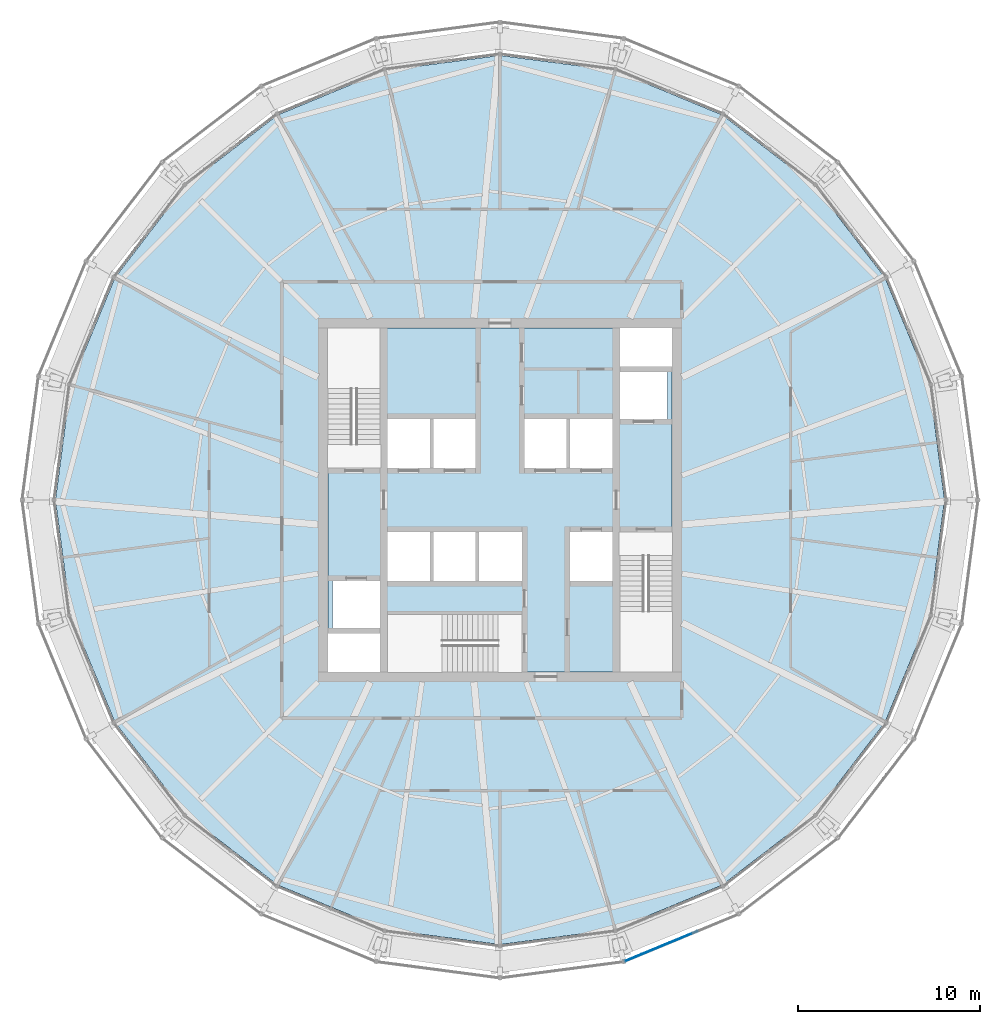
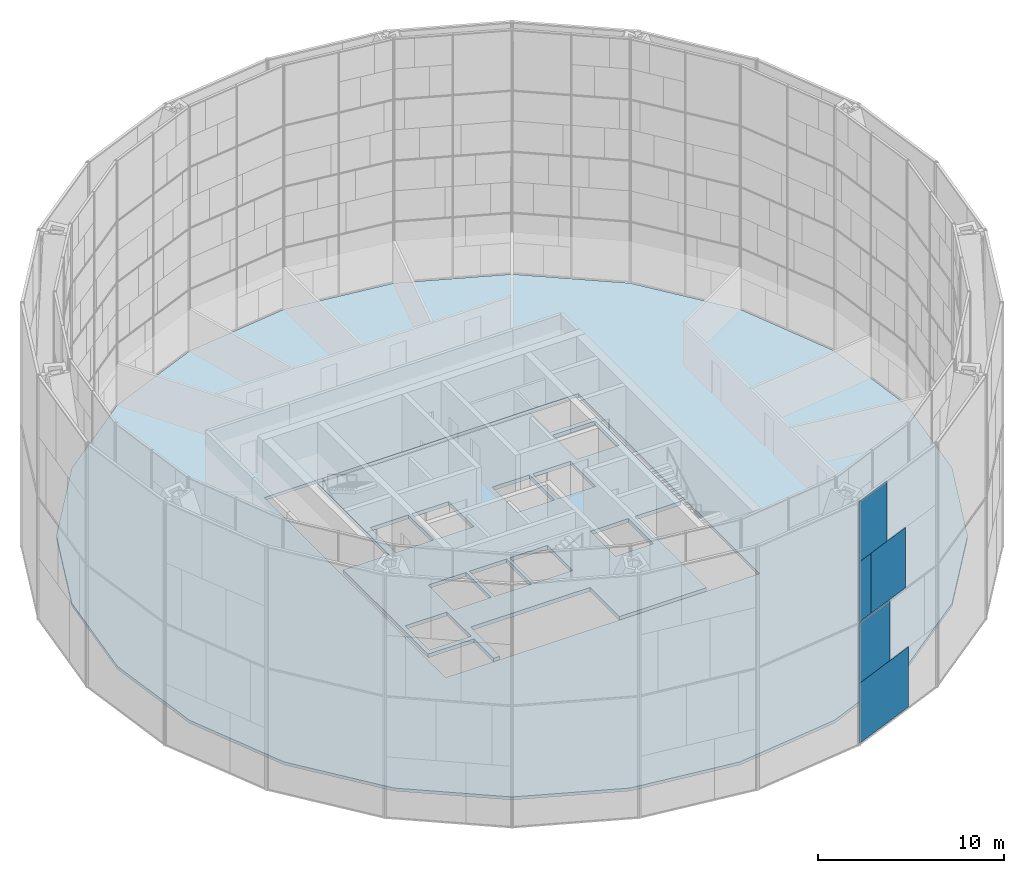
# One storey, part 17 of 29: 5 plates, 2 slabs, 1 element without a shape of its own.
"""IFC4 building model written with IfcOpenShell, lengths in metres."""

from ifc_helpers import new_model, si_unit, direction, frame, origin, origin_2d, place, context, subcontext, project, spatial, polyline, rectangle, outline, extrude, material, layer, layer_set, type_object, element, aggregate, save


model = new_model("IFC4")

# Units and contexts
model_context = context("Model", 3, precision=1e-05, world=origin(), true_north=direction((0.0, 1.0)))
body_context = subcontext(model_context, "Body", "Model", "MODEL_VIEW")
ifc_project = project(units=[si_unit("LENGTHUNIT", "METRE"), si_unit("AREAUNIT", "SQUARE_METRE"), si_unit("VOLUMEUNIT", "CUBIC_METRE"), si_unit("PLANEANGLEUNIT", "RADIAN"), si_unit("MASSUNIT", "GRAM", prefix="KILO")], contexts=[model_context])

# Site, building, storey
site_placement = place(None, origin())
site = spatial("IfcSite", under=ifc_project, at=site_placement, CompositionType="ELEMENT")
building_placement = place(site_placement, origin())
building = spatial("IfcBuilding", under=site, at=building_placement, Name="Golbaran Civic Tower", CompositionType="ELEMENT")
storey_placement = place(building_placement, frame((0.0, 0.0, 118.0)))
storey = spatial("IfcBuildingStorey", under=building, at=storey_placement, Name="L28", CompositionType="ELEMENT", Elevation=118.0)

# Slabs
ifc_material_1 = material(Name="Concrete LC30/33 lightweight on steel deck", Category="concrete")
ifc_layer_1 = layer(ifc_material_1, 0.199951171875, Name="Concrete LC30/33 lightweight on steel deck")
ifc_layer_set_1 = layer_set([ifc_layer_1], Name="Concrete LC30/33 lightweight on steel deck")
slab_type_1 = type_object("IfcSlabType", Name="COMPOSITE FLOOR SLAB 200", PredefinedType="FLOOR", material=ifc_layer_set_1)
slab_1_placement = place(storey_placement, frame((0.0, 0.0, -0.199951171875)))
element("IfcSlab", 1, at=slab_1_placement, inside=storey, type_object=slab_type_1, Name="Floor slab L28", PredefinedType="FLOOR", context=body_context, shape_type="SweptSolid", body=[
    extrude(outline(polyline([(21.17724609375, -12.2265625), (17.291015625, -17.291015625), (12.2265625, -21.17724609375), (6.3291015625, -23.6201171875), (0.0, -24.453369140625), (-6.3291015625, -23.6201171875), (-12.2265625, -21.17724609375), (-17.291015625, -17.291015625), (-21.17724609375, -12.2265625), (-23.6201171875, -6.3291015625), (-24.453369140625, 0.0), (-23.6201171875, 6.3291015625), (-21.17724609375, 12.2265625), (-17.291015625, 17.291015625), (-12.2265625, 21.17724609375), (-6.3291015625, 23.6201171875), (0.0, 24.453369140625), (6.3291015625, 23.6201171875), (12.2265625, 21.17724609375), (17.291015625, 17.291015625), (21.17724609375, 12.2265625), (23.6201171875, 6.3291015625), (24.453369140625, 0.0), (23.6201171875, -6.3291015625), (21.17724609375, -12.2265625)]), holes=[polyline([(-9.72509765625, 9.72509765625), (-9.72509765625, -9.72509765625), (9.72509765625, -9.72509765625), (9.72509765625, 9.72509765625), (-9.72509765625, 9.72509765625)])]), origin(), (0.0, 0.0, 1.0), 0.199951171875),
])
ifc_material_2 = material(Name="Concrete C35/45", Category="concrete")
ifc_layer_2 = layer(ifc_material_2, 0.25, Name="Concrete C35/45")
ifc_layer_set_2 = layer_set([ifc_layer_2], Name="Concrete C35/45")
slab_type_2 = type_object("IfcSlabType", Name="CORE FLOOR SLAB 250", PredefinedType="FLOOR", material=ifc_layer_set_2)
slab_2_placement = place(storey_placement, frame((0.0, 0.0, -0.25)))
element("IfcSlab", 2, at=slab_2_placement, inside=storey, type_object=slab_type_2, Name="Core floor slab L28", PredefinedType="FLOOR", context=body_context, shape_type="SweptSolid", body=[
    extrude(outline(polyline([(6.60009765625, -1.75), (6.60009765625, -9.449951171875), (1.199951171875, -9.449951171875), (1.199951171875, -6.300048828125), (-6.199951171875, -6.300048828125), (-6.199951171875, -9.449951171875), (-6.60009765625, -9.449951171875), (-6.60009765625, -7.35009765625), (-9.449951171875, -7.35009765625), (-9.449951171875, 1.75), (-6.60009765625, 1.75), (-6.60009765625, 9.449951171875), (6.60009765625, 9.449951171875), (6.60009765625, 7.35009765625), (9.449951171875, 7.35009765625), (9.449951171875, -1.75), (6.60009765625, -1.75)]), holes=[polyline([(9.199951171875, 7.050048828125), (6.60009765625, 7.050048828125), (6.60009765625, 4.449951171875), (9.199951171875, 4.449951171875), (9.199951171875, 7.050048828125)]), polyline([(6.199951171875, -1.75), (3.85009765625, -1.75), (3.85009765625, -4.449951171875), (6.199951171875, -4.449951171875), (6.199951171875, -1.75)]), polyline([(6.199951171875, 4.449951171875), (3.85009765625, 4.449951171875), (3.85009765625, 1.75), (6.199951171875, 1.75), (6.199951171875, 4.449951171875)]), polyline([(3.64990234375, 4.449951171875), (1.35009765625, 4.449951171875), (1.35009765625, 1.75), (3.64990234375, 1.75), (3.64990234375, 4.449951171875)]), polyline([(1.199951171875, -1.75), (-1.14990234375, -1.75), (-1.14990234375, -4.449951171875), (1.199951171875, -4.449951171875), (1.199951171875, -1.75)]), polyline([(-1.35009765625, 4.449951171875), (-3.64990234375, 4.449951171875), (-3.64990234375, 1.75), (-1.35009765625, 1.75), (-1.35009765625, 4.449951171875)]), polyline([(-1.35009765625, -1.75), (-3.64990234375, -1.75), (-3.64990234375, -4.449951171875), (-1.35009765625, -4.449951171875), (-1.35009765625, -1.75)]), polyline([(-3.85009765625, -1.75), (-6.199951171875, -1.75), (-6.199951171875, -4.449951171875), (-3.85009765625, -4.449951171875), (-3.85009765625, -1.75)]), polyline([(-3.85009765625, 4.449951171875), (-6.199951171875, 4.449951171875), (-6.199951171875, 1.75), (-3.85009765625, 1.75), (-3.85009765625, 4.449951171875)]), polyline([(-6.60009765625, -4.449951171875), (-9.199951171875, -4.449951171875), (-9.199951171875, -7.050048828125), (-6.60009765625, -7.050048828125), (-6.60009765625, -4.449951171875)])]), origin(), (0.0, 0.0, 1.0), 0.25),
])

# Curtain wall, plates
ifc_material_3 = material(Name="Aluminium and glass", Category="aluminium")
curtain_wall_type = type_object("IfcCurtainWallType", Name="OUTER SKIN TERRACOTTA SCREEN", PredefinedType="NOTDEFINED", material=ifc_material_3)
curtain_wall_placement = place(storey_placement, origin())
curtain_wall = element("IfcCurtainWall", 3, at=curtain_wall_placement, inside=storey, type_object=curtain_wall_type, Name="Outer skin L28 facet 20 CW3", ObjectType="OUTER SKIN", PredefinedType="USERDEFINED")
ifc_material_4 = material(Name="Clear laminated glass", Category="glass")
ifc_layer_3 = layer(ifc_material_4, 0.0400390625, Name="Clear laminated glass")
ifc_layer_set_3 = layer_set([ifc_layer_3], Name="Clear laminated glass")
plate_type_1 = type_object("IfcPlateType", Name="OUTER SKIN CLEAR GLASS PANEL", PredefinedType="CURTAIN_PANEL", material=ifc_layer_set_3)
plate_1_placement = place(storey_placement, frame((8.869140625, -24.542236328125, -0.6298828125), z_axis=(0.0, 0.0, 1.0), x_axis=(0.923879532505, 0.382683432381, 0.0)))
plate_1 = element("IfcPlate", 4, at=plate_1_placement, type_object=plate_type_1, Name="CW3 panel 1.1 part 1", PredefinedType="CURTAIN_PANEL", context=body_context, shape_type="SweptSolid", body=[
    extrude(rectangle(XDim=4.30810546875, YDim=0.0400390625, at=origin_2d()), origin(), (0.0, 0.0, 1.0), 3.93994140625),
])
plate_2_placement = place(storey_placement, frame((8.11572265625, -24.854248046875, 3.31005859375), z_axis=(0.0, 0.0, 1.0), x_axis=(0.923879532505, 0.382683432381, 0.0)))
plate_2 = element("IfcPlate", 5, at=plate_2_placement, type_object=plate_type_1, Name="CW3 panel 1.1 part 3", PredefinedType="CURTAIN_PANEL", context=body_context, shape_type="SweptSolid", body=[
    extrude(rectangle(XDim=2.677001953125, YDim=0.0400390625, at=origin_2d()), origin(), (0.0, 0.0, 1.0), 3.93994140625),
])
plate_3_placement = place(storey_placement, frame((7.347412109375, -25.17236328125, 7.330078125), z_axis=(0.0, 0.0, 1.0), x_axis=(0.923879532505, 0.382683432381, 0.0)))
plate_3 = element("IfcPlate", 6, at=plate_3_placement, type_object=plate_type_1, Name="CW3 panel 1.2 part 1", PredefinedType="CURTAIN_PANEL", context=body_context, shape_type="SweptSolid", body=[
    extrude(rectangle(XDim=1.013916015625, YDim=0.0400390625, at=origin_2d()), origin(), (0.0, 0.0, 1.0), 3.93994140625),
])
ifc_material_5 = material(Name="Terracotta baguette screen", Category="masonry")
ifc_layer_4 = layer(ifc_material_5, 0.0400390625, Name="Terracotta baguette screen")
ifc_layer_set_4 = layer_set([ifc_layer_4], Name="Terracotta baguette screen")
plate_type_2 = type_object("IfcPlateType", Name="OUTER SKIN TERRACOTTA INFILL PANEL", PredefinedType="CURTAIN_PANEL", material=ifc_layer_set_4)
plate_4_placement = place(storey_placement, frame((9.21044921875, -24.40087890625, 7.330078125), z_axis=(0.0, 0.0, 1.0), x_axis=(0.923879532505, 0.382683432381, 0.0)))
plate_4 = element("IfcPlate", 7, at=plate_4_placement, type_object=plate_type_2, Name="CW3 infill panel 1.2 part 2", PredefinedType="CURTAIN_PANEL", context=body_context, shape_type="SweptSolid", body=[
    extrude(rectangle(XDim=3.01904296875, YDim=0.0400390625, at=origin_2d()), origin(), (0.0, 0.0, 1.0), 3.93994140625),
])
plate_5_placement = place(storey_placement, frame((7.989013671875, -24.90673828125, 11.27001953125), z_axis=(0.0, 0.0, 1.0), x_axis=(0.923879532505, 0.382683432381, 0.0)))
plate_5 = element("IfcPlate", 8, at=plate_5_placement, type_object=plate_type_2, Name="CW3 infill panel 1.2 part 4", PredefinedType="CURTAIN_PANEL", context=body_context, shape_type="SweptSolid", body=[
    extrude(rectangle(XDim=2.403076171875, YDim=0.0400390625, at=origin_2d()), origin(), (0.0, 0.0, 1.0), 3.93994140625),
])
aggregate(curtain_wall, [plate_1, plate_2, plate_3, plate_4, plate_5])

save(model, "model.ifc")
